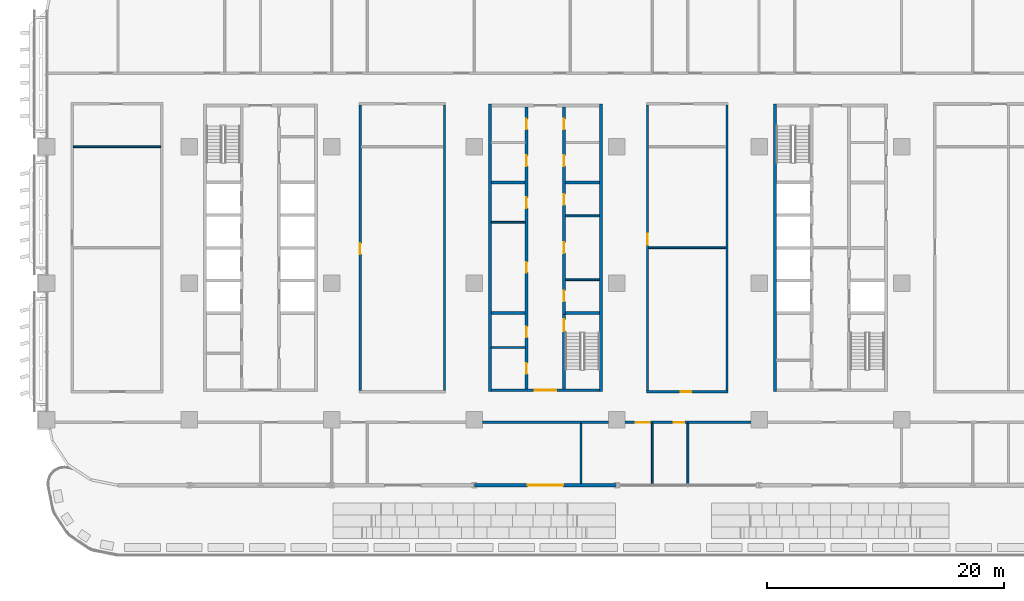
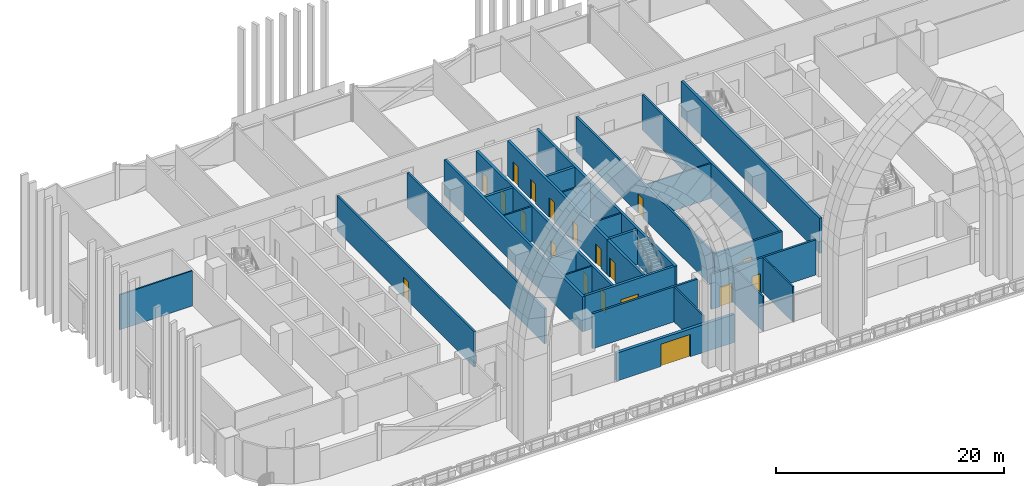
# One storey, part 11 of 31: 28 walls, 19 doors, 19 openings.
"""IFC4 building model written with IfcOpenShell, lengths in metres."""

from ifc_helpers import new_model, si_unit, direction, frame, frame_2d, origin, place, context, subcontext, project, spatial, rectangle, extrude, material, layer, layer_set, type_object, element, fill, save


model = new_model("IFC4")

# Units and contexts
model_context = context("Model", 3, precision=1e-05, world=origin(), true_north=direction((0.0, 1.0)))
body_context = subcontext(model_context, "Body", "Model", "MODEL_VIEW")
ifc_project = project(units=[si_unit("LENGTHUNIT", "METRE"), si_unit("AREAUNIT", "SQUARE_METRE"), si_unit("VOLUMEUNIT", "CUBIC_METRE"), si_unit("PLANEANGLEUNIT", "RADIAN"), si_unit("MASSUNIT", "GRAM", prefix="KILO")], contexts=[model_context])

# Site, building, storey
site_placement = place(None, origin())
site = spatial("IfcSite", under=ifc_project, at=site_placement, CompositionType="ELEMENT")
building_placement = place(site_placement, origin())
building = spatial("IfcBuilding", under=site, at=building_placement, Name="Mahtab Terrace Research Tower", CompositionType="ELEMENT")
storey_placement = place(building_placement, frame((0.0, 0.0, 84.800048828125)))
storey = spatial("IfcBuildingStorey", under=building, at=storey_placement, Name="L19", CompositionType="ELEMENT", Elevation=84.800048828125)

# Walls
ifc_material_1 = material(Name="Gypsum board partition")
ifc_layer_1 = layer(ifc_material_1, 0.14990234375)
ifc_layer_set_1 = layer_set([ifc_layer_1], Name="Core partition 150")
wall_type_1 = type_object("IfcWallType", Name="Core partition 150", PredefinedType="PARTITIONING", material=ifc_layer_set_1)
for number, where, z_axis, x_axis, name in (
    (1, (-4.550048828125, 5.14990234375, 0.0), (0.0, 0.0, 1.0), (1.0, 0.0, 0.0), "Core wall B pWL215"),
    (2, (1.699951171875, 0.3125, 0.0), (0.0, 0.0, 1.0), (1.0, 0.0, 0.0), "Core wall B pEL-269"),
    (3, (1.699951171875, 5.6875, 0.0), (0.0, 0.0, 1.0), (1.0, 0.0, 0.0), "Core wall B pEL269"),
    (4, (-4.550048828125, -5.39501953125, 0.0), (0.0, 0.0, 1.0), (1.0, 0.0, 0.0), "Core wall B pWS-840"),
):
    element("IfcWall", number, at=place(storey_placement, frame(where, z_axis=z_axis, x_axis=x_axis)), inside=storey, type_object=wall_type_1, Name=name, PredefinedType="PARTITIONING", context=body_context, shape_type="SweptSolid", body=[
        extrude(rectangle(XDim=2.85009765625, YDim=0.14990234375, at=frame_2d((1.425048828125, 0.0))), origin(), (0.0, 0.0, 1.0), 3.760009765625),
    ])
ifc_material_2 = material(Name="Concrete C70/85", Category="concrete")
ifc_layer_2 = layer(ifc_material_2, 0.25)
ifc_layer_set_2 = layer_set([ifc_layer_2], Name="Core wall 250")
wall_type_2 = type_object("IfcWallType", Name="Core wall 250", PredefinedType="SOLIDWALL", material=ifc_layer_set_2)
for number, where, z_axis, x_axis, name in (
    (5, (-4.675048828125, 15.125, 0.0), (0.0, 0.0, 1.0), (0.0, -1.0, 0.0), "Core wall B outerW"),
    (6, (4.675048828125, -9.125, 0.0), (0.0, 0.0, 1.0), (0.0, 1.0, 0.0), "Core wall B outerE"),
):
    element("IfcWall", number, at=place(storey_placement, frame(where, z_axis=z_axis, x_axis=x_axis)), inside=storey, type_object=wall_type_2, Name=name, PredefinedType="SOLIDWALL", context=body_context, shape_type="SweptSolid", body=[
        extrude(rectangle(XDim=24.25, YDim=0.25, at=frame_2d((12.125, 0.0))), origin(), (0.0, 0.0, 1.0), 3.760009765625),
    ])

# Wall, opening, door
wall_1_placement = place(storey_placement, frame((4.550048828125, -9.0, 0.0), z_axis=(0.0, 0.0, 1.0), x_axis=(-1.0, 0.0, 0.0)))
wall_1 = element("IfcWall", 7, at=wall_1_placement, inside=storey, type_object=wall_type_2, Name="Core wall B endS", PredefinedType="SOLIDWALL", context=body_context, shape_type="SweptSolid", body=[
    extrude(rectangle(XDim=9.10009765625, YDim=0.25, at=frame_2d((4.550048828125, 0.0))), origin(), (0.0, 0.0, 1.0), 3.760009765625),
])
opening_1_placement = place(wall_1_placement, frame((3.64990234375, 0.0, 0.0)))
opening_1 = element("IfcOpeningElement", 8, at=opening_1_placement, cuts=wall_1, Name="Opening B-S1", PredefinedType="OPENING", context=body_context, shape_type="SweptSolid", body=[
    extrude(rectangle(XDim=1.800048828125, YDim=2.10009765625, at=frame_2d((0.89990234375, 1.050048828125))), frame((0.0, 0.135009765625, 0.0), z_axis=(0.0, -1.0, 0.0), x_axis=(1.0, 0.0, 0.0)), (0.0, 0.0, 1.0), 0.27001953125),
])
ifc_material_3 = material(Name="Steel fire door", Category="steel")
door_type_1 = type_object("IfcDoorType", Name="Lobby double door 1800x2100 1 HR", OperationType="DOUBLE_DOOR_SINGLE_SWING", PredefinedType="DOOR", material=ifc_material_3)
door_1_placement = place(opening_1_placement, origin())
door_1 = element("IfcDoor", 9, at=door_1_placement, inside=storey, type_object=door_type_1, Name="Core entrance door B S", OperationType="DOUBLE_DOOR_SINGLE_SWING", OverallHeight=2.10009765625, OverallWidth=1.800048828125, PredefinedType="DOOR", context=body_context, shape_type="SweptSolid", body=[
    extrude(rectangle(XDim=1.800048828125, YDim=2.10009765625, at=frame_2d((0.89990234375, 1.050048828125))), frame((0.0, 0.02490234375, 0.0), z_axis=(0.0, -1.0, 0.0), x_axis=(1.0, 0.0, 0.0)), (0.0, 0.0, 1.0), 0.050048828125),
])
fill(opening_1, door_1)

# Wall, openings, doors
wall_2_placement = place(storey_placement, frame((-1.574951171875, -8.875, 0.0), z_axis=(0.0, 0.0, 1.0), x_axis=(0.0, 1.0, 0.0)))
wall_2 = element("IfcWall", 10, at=wall_2_placement, inside=storey, type_object=wall_type_2, Name="Core wall B innerWSLN", PredefinedType="SOLIDWALL", context=body_context, shape_type="SweptSolid", body=[
    extrude(rectangle(XDim=23.75, YDim=0.25, at=frame_2d((11.875, 0.0))), origin(), (0.0, 0.0, 1.0), 3.760009765625),
])
opening_2_placement = place(wall_2_placement, frame((9.77490234375, 0.0, 0.0)))
opening_2 = element("IfcOpeningElement", 11, at=opening_2_placement, cuts=wall_2, Name="Opening B-R1", PredefinedType="OPENING", context=body_context, shape_type="SweptSolid", body=[
    extrude(rectangle(XDim=0.89990234375, YDim=2.10009765625, at=frame_2d((0.449951171875, 1.050048828125))), frame((0.0, 0.135009765625, 0.0), z_axis=(0.0, -1.0, 0.0), x_axis=(1.0, 0.0, 0.0)), (0.0, 0.0, 1.0), 0.27001953125),
])
opening_3_placement = place(wall_2_placement, frame((15.22509765625, 0.0, 0.0)))
opening_3 = element("IfcOpeningElement", 12, at=opening_3_placement, cuts=wall_2, Name="Opening B-R2", PredefinedType="OPENING", context=body_context, shape_type="SweptSolid", body=[
    extrude(rectangle(XDim=0.89990234375, YDim=2.10009765625, at=frame_2d((0.449951171875, 1.050048828125))), frame((0.0, 0.135009765625, 0.0), z_axis=(0.0, -1.0, 0.0), x_axis=(1.0, 0.0, 0.0)), (0.0, 0.0, 1.0), 0.27001953125),
])
opening_4_placement = place(wall_2_placement, frame((1.25244140625, 0.0, 0.0)))
opening_4 = element("IfcOpeningElement", 13, at=opening_4_placement, cuts=wall_2, Name="Opening B-R6", PredefinedType="OPENING", context=body_context, shape_type="SweptSolid", body=[
    extrude(rectangle(XDim=0.89990234375, YDim=2.10009765625, at=frame_2d((0.449951171875, 1.050048828125))), frame((0.0, 0.135009765625, 0.0), z_axis=(0.0, -1.0, 0.0), x_axis=(1.0, 0.0, 0.0)), (0.0, 0.0, 1.0), 0.27001953125),
])
opening_5_placement = place(wall_2_placement, frame((4.327392578125, 0.0, 0.0)))
opening_5 = element("IfcOpeningElement", 14, at=opening_5_placement, cuts=wall_2, Name="Opening B-R7", PredefinedType="OPENING", context=body_context, shape_type="SweptSolid", body=[
    extrude(rectangle(XDim=0.89990234375, YDim=2.10009765625, at=frame_2d((0.449951171875, 1.050048828125))), frame((0.0, 0.135009765625, 0.0), z_axis=(0.0, -1.0, 0.0), x_axis=(1.0, 0.0, 0.0)), (0.0, 0.0, 1.0), 0.27001953125),
])
opening_6_placement = place(wall_2_placement, frame((18.762451171875, 0.0, 0.0)))
opening_6 = element("IfcOpeningElement", 15, at=opening_6_placement, cuts=wall_2, Name="Opening B-R8", PredefinedType="OPENING", context=body_context, shape_type="SweptSolid", body=[
    extrude(rectangle(XDim=0.89990234375, YDim=2.10009765625, at=frame_2d((0.449951171875, 1.050048828125))), frame((0.0, 0.135009765625, 0.0), z_axis=(0.0, -1.0, 0.0), x_axis=(1.0, 0.0, 0.0)), (0.0, 0.0, 1.0), 0.27001953125),
])
opening_7_placement = place(wall_2_placement, frame((21.83740234375, 0.0, 0.0)))
opening_7 = element("IfcOpeningElement", 16, at=opening_7_placement, cuts=wall_2, Name="Opening B-R9", PredefinedType="OPENING", context=body_context, shape_type="SweptSolid", body=[
    extrude(rectangle(XDim=0.89990234375, YDim=2.10009765625, at=frame_2d((0.449951171875, 1.050048828125))), frame((0.0, 0.135009765625, 0.0), z_axis=(0.0, -1.0, 0.0), x_axis=(1.0, 0.0, 0.0)), (0.0, 0.0, 1.0), 0.27001953125),
])
door_type_2 = type_object("IfcDoorType", Name="Room door 900x2100 1 HR", OperationType="NOTDEFINED", PredefinedType="DOOR", material=ifc_material_3)
door_2_placement = place(opening_2_placement, origin())
door_2 = element("IfcDoor", 17, at=door_2_placement, inside=storey, type_object=door_type_2, Name="Chemical store door", OperationType="SINGLE_SWING_LEFT", OverallHeight=2.10009765625, OverallWidth=0.89990234375, PredefinedType="DOOR", context=body_context, shape_type="SweptSolid", body=[
    extrude(rectangle(XDim=0.89990234375, YDim=2.10009765625, at=frame_2d((0.449951171875, 1.050048828125))), frame((0.0, 0.02490234375, 0.0), z_axis=(0.0, -1.0, 0.0), x_axis=(1.0, 0.0, 0.0)), (0.0, 0.0, 1.0), 0.050048828125),
])
fill(opening_2, door_2)
door_3_placement = place(opening_3_placement, origin())
door_3 = element("IfcDoor", 18, at=door_3_placement, inside=storey, type_object=door_type_2, Name="Waste room door", OperationType="SINGLE_SWING_RIGHT", OverallHeight=2.10009765625, OverallWidth=0.89990234375, PredefinedType="DOOR", context=body_context, shape_type="SweptSolid", body=[
    extrude(rectangle(XDim=0.89990234375, YDim=2.10009765625, at=frame_2d((0.449951171875, 1.050048828125))), frame((0.0, 0.02490234375, 0.0), z_axis=(0.0, -1.0, 0.0), x_axis=(1.0, 0.0, 0.0)), (0.0, 0.0, 1.0), 0.050048828125),
])
fill(opening_3, door_3)
door_4_placement = place(opening_4_placement, origin())
door_4 = element("IfcDoor", 19, at=door_4_placement, inside=storey, type_object=door_type_2, Name="Pantry door", OperationType="SINGLE_SWING_RIGHT", OverallHeight=2.10009765625, OverallWidth=0.89990234375, PredefinedType="DOOR", context=body_context, shape_type="SweptSolid", body=[
    extrude(rectangle(XDim=0.89990234375, YDim=2.10009765625, at=frame_2d((0.449951171875, 1.050048828125))), frame((0.0, 0.02490234375, 0.0), z_axis=(0.0, -1.0, 0.0), x_axis=(1.0, 0.0, 0.0)), (0.0, 0.0, 1.0), 0.050048828125),
])
fill(opening_4, door_4)
door_5_placement = place(opening_5_placement, origin())
door_5 = element("IfcDoor", 20, at=door_5_placement, inside=storey, type_object=door_type_2, Name="Linen store door", OperationType="SINGLE_SWING_LEFT", OverallHeight=2.10009765625, OverallWidth=0.89990234375, PredefinedType="DOOR", context=body_context, shape_type="SweptSolid", body=[
    extrude(rectangle(XDim=0.89990234375, YDim=2.10009765625, at=frame_2d((0.449951171875, 1.050048828125))), frame((0.0, 0.02490234375, 0.0), z_axis=(0.0, -1.0, 0.0), x_axis=(1.0, 0.0, 0.0)), (0.0, 0.0, 1.0), 0.050048828125),
])
fill(opening_5, door_5)
door_6_placement = place(opening_6_placement, origin())
door_6 = element("IfcDoor", 21, at=door_6_placement, inside=storey, type_object=door_type_2, Name="Housekeeping store door", OperationType="SINGLE_SWING_RIGHT", OverallHeight=2.10009765625, OverallWidth=0.89990234375, PredefinedType="DOOR", context=body_context, shape_type="SweptSolid", body=[
    extrude(rectangle(XDim=0.89990234375, YDim=2.10009765625, at=frame_2d((0.449951171875, 1.050048828125))), frame((0.0, 0.02490234375, 0.0), z_axis=(0.0, -1.0, 0.0), x_axis=(1.0, 0.0, 0.0)), (0.0, 0.0, 1.0), 0.050048828125),
])
fill(opening_6, door_6)
door_7_placement = place(opening_7_placement, origin())
door_7 = element("IfcDoor", 22, at=door_7_placement, inside=storey, type_object=door_type_2, Name="Electrical riser room door", OperationType="SINGLE_SWING_LEFT", OverallHeight=2.10009765625, OverallWidth=0.89990234375, PredefinedType="DOOR", context=body_context, shape_type="SweptSolid", body=[
    extrude(rectangle(XDim=0.89990234375, YDim=2.10009765625, at=frame_2d((0.449951171875, 1.050048828125))), frame((0.0, 0.02490234375, 0.0), z_axis=(0.0, -1.0, 0.0), x_axis=(1.0, 0.0, 0.0)), (0.0, 0.0, 1.0), 0.050048828125),
])
fill(opening_7, door_7)

# Wall, opening, door
wall_3_placement = place(storey_placement, frame((1.574951171875, -8.875, 0.0), z_axis=(0.0, 0.0, 1.0), x_axis=(0.0, 1.0, 0.0)))
wall_3 = element("IfcWall", 23, at=wall_3_placement, inside=storey, type_object=wall_type_2, Name="Core wall B innerES", PredefinedType="SOLIDWALL", context=body_context, shape_type="SweptSolid", body=[
    extrude(rectangle(XDim=6.25, YDim=0.25, at=frame_2d((3.125, 0.0))), origin(), (0.0, 0.0, 1.0), 3.760009765625),
])
opening_8_placement = place(wall_3_placement, frame((4.85009765625, 0.0, 0.0)))
opening_8 = element("IfcOpeningElement", 24, at=opening_8_placement, cuts=wall_3, Name="Opening B-ST2", PredefinedType="OPENING", context=body_context, shape_type="SweptSolid", body=[
    extrude(rectangle(XDim=1.0, YDim=2.10009765625, at=frame_2d((0.5, 1.050048828125))), frame((0.0, 0.135009765625, 0.0), z_axis=(0.0, -1.0, 0.0), x_axis=(1.0, 0.0, 0.0)), (0.0, 0.0, 1.0), 0.27001953125),
])
door_type_3 = type_object("IfcDoorType", Name="Stair door 1000x2100 1.5 HR", OperationType="NOTDEFINED", PredefinedType="DOOR", material=ifc_material_3)
door_8_placement = place(opening_8_placement, origin())
door_8 = element("IfcDoor", 25, at=door_8_placement, inside=storey, type_object=door_type_3, Name="Stair door ST2 L19", OperationType="SINGLE_SWING_RIGHT", OverallHeight=2.10009765625, OverallWidth=1.0, PredefinedType="DOOR", context=body_context, shape_type="SweptSolid", body=[
    extrude(rectangle(XDim=1.0, YDim=2.10009765625, at=frame_2d((0.5, 1.050048828125))), frame((0.0, 0.02490234375, 0.0), z_axis=(0.0, -1.0, 0.0), x_axis=(1.0, 0.0, 0.0)), (0.0, 0.0, 1.0), 0.050048828125),
])
fill(opening_8, door_8)

# Wall, openings, doors
wall_4_placement = place(storey_placement, frame((1.574951171875, 14.875, 0.0), z_axis=(0.0, 0.0, 1.0), x_axis=(0.0, -1.0, 0.0)))
wall_4 = element("IfcWall", 26, at=wall_4_placement, inside=storey, type_object=wall_type_2, Name="Core wall B innerELN", PredefinedType="SOLIDWALL", context=body_context, shape_type="SweptSolid", body=[
    extrude(rectangle(XDim=17.5, YDim=0.25, at=frame_2d((8.75, 0.0))), origin(), (0.0, 0.0, 1.0), 3.760009765625),
])
opening_9_placement = place(wall_4_placement, frame((15.493896484375, 0.0, 0.0)))
opening_9 = element("IfcOpeningElement", 27, at=opening_9_placement, cuts=wall_4, Name="Opening B-R3", PredefinedType="OPENING", context=body_context, shape_type="SweptSolid", body=[
    extrude(rectangle(XDim=0.89990234375, YDim=2.10009765625, at=frame_2d((0.449951171875, 1.050048828125))), frame((0.0, 0.135009765625, 0.0), z_axis=(0.0, -1.0, 0.0), x_axis=(1.0, 0.0, 0.0)), (0.0, 0.0, 1.0), 0.27001953125),
])
opening_10_placement = place(wall_4_placement, frame((11.425048828125, 0.0, 0.0)))
opening_10 = element("IfcOpeningElement", 28, at=opening_10_placement, cuts=wall_4, Name="Opening B-R4", PredefinedType="OPENING", context=body_context, shape_type="SweptSolid", body=[
    extrude(rectangle(XDim=0.89990234375, YDim=2.10009765625, at=frame_2d((0.449951171875, 1.050048828125))), frame((0.0, 0.135009765625, 0.0), z_axis=(0.0, -1.0, 0.0), x_axis=(1.0, 0.0, 0.0)), (0.0, 0.0, 1.0), 0.27001953125),
])
opening_11_placement = place(wall_4_placement, frame((7.356201171875, 0.0, 0.0)))
opening_11 = element("IfcOpeningElement", 29, at=opening_11_placement, cuts=wall_4, Name="Opening B-R5", PredefinedType="OPENING", context=body_context, shape_type="SweptSolid", body=[
    extrude(rectangle(XDim=0.89990234375, YDim=2.10009765625, at=frame_2d((0.449951171875, 1.050048828125))), frame((0.0, 0.135009765625, 0.0), z_axis=(0.0, -1.0, 0.0), x_axis=(1.0, 0.0, 0.0)), (0.0, 0.0, 1.0), 0.27001953125),
])
opening_12_placement = place(wall_4_placement, frame((4.08740234375, 0.0, 0.0)))
opening_12 = element("IfcOpeningElement", 30, at=opening_12_placement, cuts=wall_4, Name="Opening B-R10", PredefinedType="OPENING", context=body_context, shape_type="SweptSolid", body=[
    extrude(rectangle(XDim=0.89990234375, YDim=2.10009765625, at=frame_2d((0.449951171875, 1.050048828125))), frame((0.0, 0.135009765625, 0.0), z_axis=(0.0, -1.0, 0.0), x_axis=(1.0, 0.0, 0.0)), (0.0, 0.0, 1.0), 0.27001953125),
])
opening_13_placement = place(wall_4_placement, frame((1.012451171875, 0.0, 0.0)))
opening_13 = element("IfcOpeningElement", 31, at=opening_13_placement, cuts=wall_4, Name="Opening B-R11", PredefinedType="OPENING", context=body_context, shape_type="SweptSolid", body=[
    extrude(rectangle(XDim=0.89990234375, YDim=2.10009765625, at=frame_2d((0.449951171875, 1.050048828125))), frame((0.0, 0.135009765625, 0.0), z_axis=(0.0, -1.0, 0.0), x_axis=(1.0, 0.0, 0.0)), (0.0, 0.0, 1.0), 0.27001953125),
])
door_9_placement = place(opening_9_placement, origin())
door_9 = element("IfcDoor", 32, at=door_9_placement, inside=storey, type_object=door_type_2, Name="Comms room door", OperationType="SINGLE_SWING_LEFT", OverallHeight=2.10009765625, OverallWidth=0.89990234375, PredefinedType="DOOR", context=body_context, shape_type="SweptSolid", body=[
    extrude(rectangle(XDim=0.89990234375, YDim=2.10009765625, at=frame_2d((0.449951171875, 1.050048828125))), frame((0.0, 0.02490234375, 0.0), z_axis=(0.0, -1.0, 0.0), x_axis=(1.0, 0.0, 0.0)), (0.0, 0.0, 1.0), 0.050048828125),
])
fill(opening_9, door_9)
door_10_placement = place(opening_10_placement, origin())
door_10 = element("IfcDoor", 33, at=door_10_placement, inside=storey, type_object=door_type_2, Name="Meeting alcove door", OperationType="SINGLE_SWING_RIGHT", OverallHeight=2.10009765625, OverallWidth=0.89990234375, PredefinedType="DOOR", context=body_context, shape_type="SweptSolid", body=[
    extrude(rectangle(XDim=0.89990234375, YDim=2.10009765625, at=frame_2d((0.449951171875, 1.050048828125))), frame((0.0, 0.02490234375, 0.0), z_axis=(0.0, -1.0, 0.0), x_axis=(1.0, 0.0, 0.0)), (0.0, 0.0, 1.0), 0.050048828125),
])
fill(opening_10, door_10)
door_11_placement = place(opening_11_placement, origin())
door_11 = element("IfcDoor", 34, at=door_11_placement, inside=storey, type_object=door_type_2, Name="Linen store door", OperationType="SINGLE_SWING_LEFT", OverallHeight=2.10009765625, OverallWidth=0.89990234375, PredefinedType="DOOR", context=body_context, shape_type="SweptSolid", body=[
    extrude(rectangle(XDim=0.89990234375, YDim=2.10009765625, at=frame_2d((0.449951171875, 1.050048828125))), frame((0.0, 0.02490234375, 0.0), z_axis=(0.0, -1.0, 0.0), x_axis=(1.0, 0.0, 0.0)), (0.0, 0.0, 1.0), 0.050048828125),
])
fill(opening_11, door_11)
door_12_placement = place(opening_12_placement, origin())
door_12 = element("IfcDoor", 35, at=door_12_placement, inside=storey, type_object=door_type_2, Name="Staff WC door", OperationType="SINGLE_SWING_RIGHT", OverallHeight=2.10009765625, OverallWidth=0.89990234375, PredefinedType="DOOR", context=body_context, shape_type="SweptSolid", body=[
    extrude(rectangle(XDim=0.89990234375, YDim=2.10009765625, at=frame_2d((0.449951171875, 1.050048828125))), frame((0.0, 0.02490234375, 0.0), z_axis=(0.0, -1.0, 0.0), x_axis=(1.0, 0.0, 0.0)), (0.0, 0.0, 1.0), 0.050048828125),
])
fill(opening_12, door_12)
door_13_placement = place(opening_13_placement, origin())
door_13 = element("IfcDoor", 36, at=door_13_placement, inside=storey, type_object=door_type_2, Name="Accessible WC door", OperationType="SINGLE_SWING_LEFT", OverallHeight=2.10009765625, OverallWidth=0.89990234375, PredefinedType="DOOR", context=body_context, shape_type="SweptSolid", body=[
    extrude(rectangle(XDim=0.89990234375, YDim=2.10009765625, at=frame_2d((0.449951171875, 1.050048828125))), frame((0.0, 0.02490234375, 0.0), z_axis=(0.0, -1.0, 0.0), x_axis=(1.0, 0.0, 0.0)), (0.0, 0.0, 1.0), 0.050048828125),
])
fill(opening_13, door_13)

# Walls
for number, where, z_axis, x_axis, name in (
    (37, (-4.550048828125, -2.5, 0.0), (0.0, 0.0, 1.0), (1.0, 0.0, 0.0), "Core wall B divW0"),
    (38, (-4.550048828125, 8.5, 0.0), (0.0, 0.0, 1.0), (1.0, 0.0, 0.0), "Core wall B divW4"),
    (39, (1.699951171875, -2.5, 0.0), (0.0, 0.0, 1.0), (1.0, 0.0, 0.0), "Core wall B divE0"),
    (40, (1.699951171875, 8.5, 0.0), (0.0, 0.0, 1.0), (1.0, 0.0, 0.0), "Core wall B divE4"),
):
    element("IfcWall", number, at=place(storey_placement, frame(where, z_axis=z_axis, x_axis=x_axis)), inside=storey, type_object=wall_type_2, Name=name, PredefinedType="SOLIDWALL", context=body_context, shape_type="SweptSolid", body=[
        extrude(rectangle(XDim=2.85009765625, YDim=0.25, at=frame_2d((1.425048828125, 0.0))), origin(), (0.0, 0.0, 1.0), 3.760009765625),
    ])
wall_5_placement = place(storey_placement, frame((19.324951171875, 15.125, 0.0), z_axis=(0.0, 0.0, 1.0), x_axis=(0.0, -1.0, 0.0)))
element("IfcWall", 41, at=wall_5_placement, inside=storey, type_object=wall_type_2, Name="Core wall C outerW", PredefinedType="SOLIDWALL", context=body_context, shape_type="SweptSolid", body=[
    extrude(rectangle(XDim=24.25, YDim=0.25, at=frame_2d((12.125, 0.0))), origin(), (0.0, 0.0, 1.0), 3.760009765625),
])

# Wall, opening, door
ifc_material_4 = material(Name="Black aluminium cladding panel", Category="aluminium")
ifc_layer_3 = layer(ifc_material_4, 0.300048828125)
ifc_layer_set_3 = layer_set([ifc_layer_3], Name="Opaque facade wall 300")
wall_type_3 = type_object("IfcWallType", Name="Opaque facade wall 300", PredefinedType="NOTDEFINED", material=ifc_layer_set_3)
wall_6_placement = place(storey_placement, frame((-5.97900390625, -17.0, 0.0), z_axis=(0.0, 0.0, 1.0), x_axis=(1.0, 0.0, 0.0)))
wall_6 = element("IfcWall", 42, at=wall_6_placement, inside=storey, type_object=wall_type_3, Name="Opaque facade wall L19 S26", PredefinedType="NOTDEFINED", context=body_context, shape_type="SweptSolid", body=[
    extrude(rectangle(XDim=11.9580078125, YDim=0.300048828125, at=frame_2d((5.97900390625, 0.0))), origin(), (0.0, 0.0, 1.0), 3.0029296875),
])
opening_14_placement = place(wall_6_placement, frame((4.47900390625, 0.0, 0.0)))
opening_14 = element("IfcOpeningElement", 43, at=opening_14_placement, cuts=wall_6, Name="Opening ED1", PredefinedType="OPENING", context=body_context, shape_type="SweptSolid", body=[
    extrude(rectangle(XDim=3.0, YDim=2.39990234375, at=frame_2d((1.5, 1.199951171875))), frame((0.0, 0.159912109375, 0.0), z_axis=(0.0, -1.0, 0.0), x_axis=(1.0, 0.0, 0.0)), (0.0, 0.0, 1.0), 0.320068359375),
])
ifc_material_5 = material(Name="Black anodised aluminium", Category="aluminium")
door_type_4 = type_object("IfcDoorType", Name="Terrace double door 3000x2400", OperationType="DOUBLE_DOOR_DOUBLE_SWING", PredefinedType="DOOR", material=ifc_material_5)
door_14_placement = place(opening_14_placement, origin())
door_14 = element("IfcDoor", 44, at=door_14_placement, inside=storey, type_object=door_type_4, Name="Terrace door L19 S", OperationType="SINGLE_SWING_LEFT", OverallHeight=2.39990234375, OverallWidth=3.0, PredefinedType="DOOR", context=body_context, shape_type="SweptSolid", body=[
    extrude(rectangle(XDim=3.0, YDim=2.39990234375, at=frame_2d((1.5, 1.199951171875))), frame((0.0, 0.02490234375, 0.0), z_axis=(0.0, -1.0, 0.0), x_axis=(1.0, 0.0, 0.0)), (0.0, 0.0, 1.0), 0.050048828125),
])
fill(opening_14, door_14)

# Wall
ifc_material_6 = material(Name="Gypsum board corridor wall on steel studs", Category="steel")
ifc_layer_4 = layer(ifc_material_6, 0.199951171875)
ifc_layer_set_4 = layer_set([ifc_layer_4], Name="WALL CORRIDOR 200")
wall_type_4 = type_object("IfcWallType", Name="WALL CORRIDOR 200", PredefinedType="PARTITIONING", material=ifc_layer_set_4)
wall_7_placement = place(storey_placement, frame((-5.300048828125, -11.699951171875, 0.0), z_axis=(0.0, 0.0, 1.0), x_axis=(1.0, 0.0, 0.0)))
element("IfcWall", 45, at=wall_7_placement, inside=storey, type_object=wall_type_4, Name="L19-W004", PredefinedType="PARTITIONING", context=body_context, shape_type="SweptSolid", body=[
    extrude(rectangle(XDim=10.60009765625, YDim=0.199951171875, at=frame_2d((5.300048828125, 0.0))), origin(), (0.0, 0.0, 1.0), 3.760009765625),
])

# Wall, openings, doors
wall_8_placement = place(storey_placement, frame((6.699951171875, -11.699951171875, 0.0), z_axis=(0.0, 0.0, 1.0), x_axis=(1.0, 0.0, 0.0)))
wall_8 = element("IfcWall", 46, at=wall_8_placement, inside=storey, type_object=wall_type_4, Name="L19-W005", PredefinedType="PARTITIONING", context=body_context, shape_type="SweptSolid", body=[
    extrude(rectangle(XDim=10.60009765625, YDim=0.199951171875, at=frame_2d((5.300048828125, 0.0))), origin(), (0.0, 0.0, 1.0), 3.760009765625),
])
opening_15_placement = place(wall_8_placement, frame((0.89990234375, 0.0, 0.0)))
opening_15 = element("IfcOpeningElement", 47, at=opening_15_placement, cuts=wall_8, Name="Opening L19-105", PredefinedType="OPENING", context=body_context, shape_type="SweptSolid", body=[
    extrude(rectangle(XDim=1.199951171875, YDim=2.10009765625, at=frame_2d((0.60009765625, 1.050048828125))), frame((0.0, 0.10986328125, 0.0), z_axis=(0.0, -1.0, 0.0), x_axis=(1.0, 0.0, 0.0)), (0.0, 0.0, 1.0), 0.219970703125),
])
opening_16_placement = place(wall_8_placement, frame((4.10009765625, 0.0, 0.0)))
opening_16 = element("IfcOpeningElement", 48, at=opening_16_placement, cuts=wall_8, Name="Opening L19-106", PredefinedType="OPENING", context=body_context, shape_type="SweptSolid", body=[
    extrude(rectangle(XDim=0.89990234375, YDim=2.10009765625, at=frame_2d((0.449951171875, 1.050048828125))), frame((0.0, 0.10986328125, 0.0), z_axis=(0.0, -1.0, 0.0), x_axis=(1.0, 0.0, 0.0)), (0.0, 0.0, 1.0), 0.219970703125),
])
ifc_material_7 = material(Name="Timber door leaf in steel frame", Category="steel")
door_type_5 = type_object("IfcDoorType", Name="DOOR 0900X2100 FD30S", OperationType="SINGLE_SWING_LEFT", PredefinedType="DOOR", material=ifc_material_7)
door_15_placement = place(opening_16_placement, origin())
door_15 = element("IfcDoor", 49, at=door_15_placement, inside=storey, type_object=door_type_5, Name="Door L19-106", OperationType="SINGLE_SWING_RIGHT", OverallHeight=2.10009765625, OverallWidth=0.89990234375, PredefinedType="DOOR", context=body_context, shape_type="SweptSolid", body=[
    extrude(rectangle(XDim=0.89990234375, YDim=2.10009765625, at=frame_2d((0.449951171875, 1.050048828125))), frame((0.0, 0.02490234375, 0.0), z_axis=(0.0, -1.0, 0.0), x_axis=(1.0, 0.0, 0.0)), (0.0, 0.0, 1.0), 0.050048828125),
])
fill(opening_16, door_15)
door_type_6 = type_object("IfcDoorType", Name="DOOR 1200X2100 FD30S", OperationType="SINGLE_SWING_LEFT", PredefinedType="DOOR", material=ifc_material_7)
door_16_placement = place(opening_15_placement, origin())
door_16 = element("IfcDoor", 50, at=door_16_placement, inside=storey, type_object=door_type_6, Name="Door L19-105", OperationType="SINGLE_SWING_RIGHT", OverallHeight=2.10009765625, OverallWidth=1.199951171875, PredefinedType="DOOR", context=body_context, shape_type="SweptSolid", body=[
    extrude(rectangle(XDim=1.199951171875, YDim=2.10009765625, at=frame_2d((0.60009765625, 1.050048828125))), frame((0.0, 0.02490234375, 0.0), z_axis=(0.0, -1.0, 0.0), x_axis=(1.0, 0.0, 0.0)), (0.0, 0.0, 1.0), 0.050048828125),
])
fill(opening_15, door_16)

# Wall, opening, door
wall_9_placement = place(storey_placement, frame((8.5, -9.125, 0.0), z_axis=(0.0, 0.0, 1.0), x_axis=(1.0, 0.0, 0.0)))
wall_9 = element("IfcWall", 51, at=wall_9_placement, inside=storey, type_object=wall_type_4, Name="L19-W011", PredefinedType="PARTITIONING", context=body_context, shape_type="SweptSolid", body=[
    extrude(rectangle(XDim=6.89990234375, YDim=0.199951171875, at=frame_2d((3.449951171875, 0.0))), origin(), (0.0, 0.0, 1.0), 3.760009765625),
])
opening_17_placement = place(wall_9_placement, frame((2.89990234375, 0.0, 0.0)))
opening_17 = element("IfcOpeningElement", 52, at=opening_17_placement, cuts=wall_9, Name="Opening L19-112", PredefinedType="OPENING", context=body_context, shape_type="SweptSolid", body=[
    extrude(rectangle(XDim=0.89990234375, YDim=2.10009765625, at=frame_2d((0.449951171875, 1.050048828125))), frame((0.0, 0.10986328125, 0.0), z_axis=(0.0, -1.0, 0.0), x_axis=(1.0, 0.0, 0.0)), (0.0, 0.0, 1.0), 0.219970703125),
])
door_17_placement = place(opening_17_placement, origin())
door_17 = element("IfcDoor", 53, at=door_17_placement, inside=storey, type_object=door_type_5, Name="Door L19-112", OperationType="SINGLE_SWING_LEFT", OverallHeight=2.10009765625, OverallWidth=0.89990234375, PredefinedType="DOOR", context=body_context, shape_type="SweptSolid", body=[
    extrude(rectangle(XDim=0.89990234375, YDim=2.10009765625, at=frame_2d((0.449951171875, 1.050048828125))), frame((0.0, 0.02490234375, 0.0), z_axis=(0.0, -1.0, 0.0), x_axis=(1.0, 0.0, 0.0)), (0.0, 0.0, 1.0), 0.050048828125),
])
fill(opening_17, door_17)

wall_10_placement = place(storey_placement, frame((-15.60009765625, -9.02490234375, 0.0), z_axis=(0.0, 0.0, 1.0), x_axis=(0.0, 1.0, 0.0)))
wall_10 = element("IfcWall", 54, at=wall_10_placement, inside=storey, type_object=wall_type_4, Name="L19-W033", PredefinedType="PARTITIONING", context=body_context, shape_type="SweptSolid", body=[
    extrude(rectangle(XDim=24.0498046875, YDim=0.199951171875, at=frame_2d((12.02490234375, 0.0))), origin(), (0.0, 0.0, 1.0), 3.760009765625),
])
opening_18_placement = place(wall_10_placement, frame((11.5, 0.0, 0.0)))
opening_18 = element("IfcOpeningElement", 55, at=opening_18_placement, cuts=wall_10, Name="Opening L19-113", PredefinedType="OPENING", context=body_context, shape_type="SweptSolid", body=[
    extrude(rectangle(XDim=0.89990234375, YDim=2.10009765625, at=frame_2d((0.449951171875, 1.050048828125))), frame((0.0, 0.10986328125, 0.0), z_axis=(0.0, -1.0, 0.0), x_axis=(1.0, 0.0, 0.0)), (0.0, 0.0, 1.0), 0.219970703125),
])
door_18_placement = place(opening_18_placement, origin())
door_18 = element("IfcDoor", 56, at=door_18_placement, inside=storey, type_object=door_type_5, Name="Door L19-113", OperationType="SINGLE_SWING_RIGHT", OverallHeight=2.10009765625, OverallWidth=0.89990234375, PredefinedType="DOOR", context=body_context, shape_type="SweptSolid", body=[
    extrude(rectangle(XDim=0.89990234375, YDim=2.10009765625, at=frame_2d((0.449951171875, 1.050048828125))), frame((0.0, 0.02490234375, 0.0), z_axis=(0.0, -1.0, 0.0), x_axis=(1.0, 0.0, 0.0)), (0.0, 0.0, 1.0), 0.050048828125),
])
fill(opening_18, door_18)

# Wall
wall_11_placement = place(storey_placement, frame((-8.5, -9.02490234375, 0.0), z_axis=(0.0, 0.0, 1.0), x_axis=(0.0, 1.0, 0.0)))
element("IfcWall", 57, at=wall_11_placement, inside=storey, type_object=wall_type_4, Name="L19-W036", PredefinedType="PARTITIONING", context=body_context, shape_type="SweptSolid", body=[
    extrude(rectangle(XDim=24.0498046875, YDim=0.199951171875, at=frame_2d((12.02490234375, 0.0))), origin(), (0.0, 0.0, 1.0), 3.760009765625),
])

# Wall, opening, door
wall_12_placement = place(storey_placement, frame((8.60009765625, -9.02490234375, 0.0), z_axis=(0.0, 0.0, 1.0), x_axis=(0.0, 1.0, 0.0)))
wall_12 = element("IfcWall", 58, at=wall_12_placement, inside=storey, type_object=wall_type_4, Name="L19-W040", PredefinedType="PARTITIONING", context=body_context, shape_type="SweptSolid", body=[
    extrude(rectangle(XDim=24.0498046875, YDim=0.199951171875, at=frame_2d((12.02490234375, 0.0))), origin(), (0.0, 0.0, 1.0), 3.760009765625),
])
opening_19_placement = place(wall_12_placement, frame((12.300048828125, 0.0, 0.0)))
opening_19 = element("IfcOpeningElement", 59, at=opening_19_placement, cuts=wall_12, Name="Opening L19-117", PredefinedType="OPENING", context=body_context, shape_type="SweptSolid", body=[
    extrude(rectangle(XDim=0.89990234375, YDim=2.10009765625, at=frame_2d((0.449951171875, 1.050048828125))), frame((0.0, 0.10986328125, 0.0), z_axis=(0.0, -1.0, 0.0), x_axis=(1.0, 0.0, 0.0)), (0.0, 0.0, 1.0), 0.219970703125),
])
door_19_placement = place(opening_19_placement, origin())
door_19 = element("IfcDoor", 60, at=door_19_placement, inside=storey, type_object=door_type_5, Name="Door L19-117", OperationType="SINGLE_SWING_LEFT", OverallHeight=2.10009765625, OverallWidth=0.89990234375, PredefinedType="DOOR", context=body_context, shape_type="SweptSolid", body=[
    extrude(rectangle(XDim=0.89990234375, YDim=2.10009765625, at=frame_2d((0.449951171875, 1.050048828125))), frame((0.0, 0.02490234375, 0.0), z_axis=(0.0, -1.0, 0.0), x_axis=(1.0, 0.0, 0.0)), (0.0, 0.0, 1.0), 0.050048828125),
])
fill(opening_19, door_19)

# Walls
wall_13_placement = place(storey_placement, frame((15.300048828125, -9.02490234375, 0.0), z_axis=(0.0, 0.0, 1.0), x_axis=(0.0, 1.0, 0.0)))
element("IfcWall", 61, at=wall_13_placement, inside=storey, type_object=wall_type_4, Name="L19-W045", PredefinedType="PARTITIONING", context=body_context, shape_type="SweptSolid", body=[
    extrude(rectangle(XDim=24.0498046875, YDim=0.199951171875, at=frame_2d((12.02490234375, 0.0))), origin(), (0.0, 0.0, 1.0), 3.760009765625),
])
ifc_material_8 = material(Name="Gypsum board partition on steel studs", Category="steel")
ifc_layer_5 = layer(ifc_material_8, 0.14990234375)
ifc_layer_set_5 = layer_set([ifc_layer_5], Name="WALL PARTITION 150")
wall_type_5 = type_object("IfcWallType", Name="WALL PARTITION 150", PredefinedType="PARTITIONING", material=ifc_layer_set_5)
wall_14_placement = place(storey_placement, frame((8.699951171875, 3.0, 0.0), z_axis=(0.0, 0.0, 1.0), x_axis=(1.0, 0.0, 0.0)))
element("IfcWall", 62, at=wall_14_placement, inside=storey, type_object=wall_type_5, Name="L19-W014", PredefinedType="PARTITIONING", context=body_context, shape_type="SweptSolid", body=[
    extrude(rectangle(XDim=6.5, YDim=0.14990234375, at=frame_2d((3.25, 0.0))), origin(), (0.0, 0.0, 1.0), 3.760009765625),
])
wall_15_placement = place(storey_placement, frame((-39.75, 11.5, 0.0), z_axis=(0.0, 0.0, 1.0), x_axis=(1.0, 0.0, 0.0)))
element("IfcWall", 63, at=wall_15_placement, inside=storey, type_object=wall_type_5, Name="L19-W015", PredefinedType="PARTITIONING", context=body_context, shape_type="SweptSolid", body=[
    extrude(rectangle(XDim=7.35009765625, YDim=0.14990234375, at=frame_2d((3.675048828125, 0.0))), origin(), (0.0, 0.0, 1.0), 3.760009765625),
])
wall_16_placement = place(storey_placement, frame((3.0, -16.85009765625, 0.0), z_axis=(0.0, 0.0, 1.0), x_axis=(0.0, 1.0, 0.0)))
element("IfcWall", 64, at=wall_16_placement, inside=storey, type_object=wall_type_5, Name="L19-W039", PredefinedType="PARTITIONING", context=body_context, shape_type="SweptSolid", body=[
    extrude(rectangle(XDim=5.050048828125, YDim=0.14990234375, at=frame_2d((2.52490234375, 0.0))), origin(), (0.0, 0.0, 1.0), 3.760009765625),
])
for number, where, z_axis, x_axis, name in (
    (65, (9.0, -16.97509765625, 0.0), (0.0, 0.0, 1.0), (0.0, 1.0, 0.0), "L19-W041"),
    (66, (12.0, -16.97509765625, 0.0), (0.0, 0.0, 1.0), (0.0, 1.0, 0.0), "L19-W043"),
):
    element("IfcWall", number, at=place(storey_placement, frame(where, z_axis=z_axis, x_axis=x_axis)), inside=storey, type_object=wall_type_5, Name=name, PredefinedType="PARTITIONING", context=body_context, shape_type="SweptSolid", body=[
        extrude(rectangle(XDim=5.175048828125, YDim=0.14990234375, at=frame_2d((2.58740234375, 0.0))), origin(), (0.0, 0.0, 1.0), 3.760009765625),
    ])

save(model, "model.ifc")
